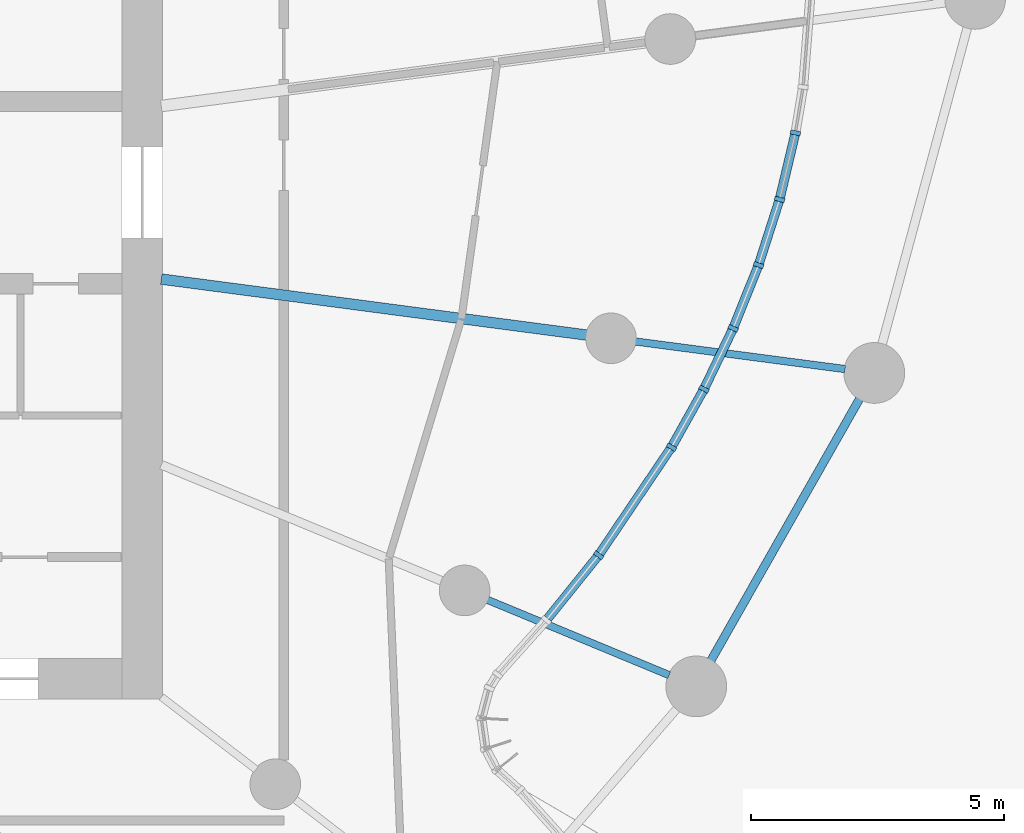
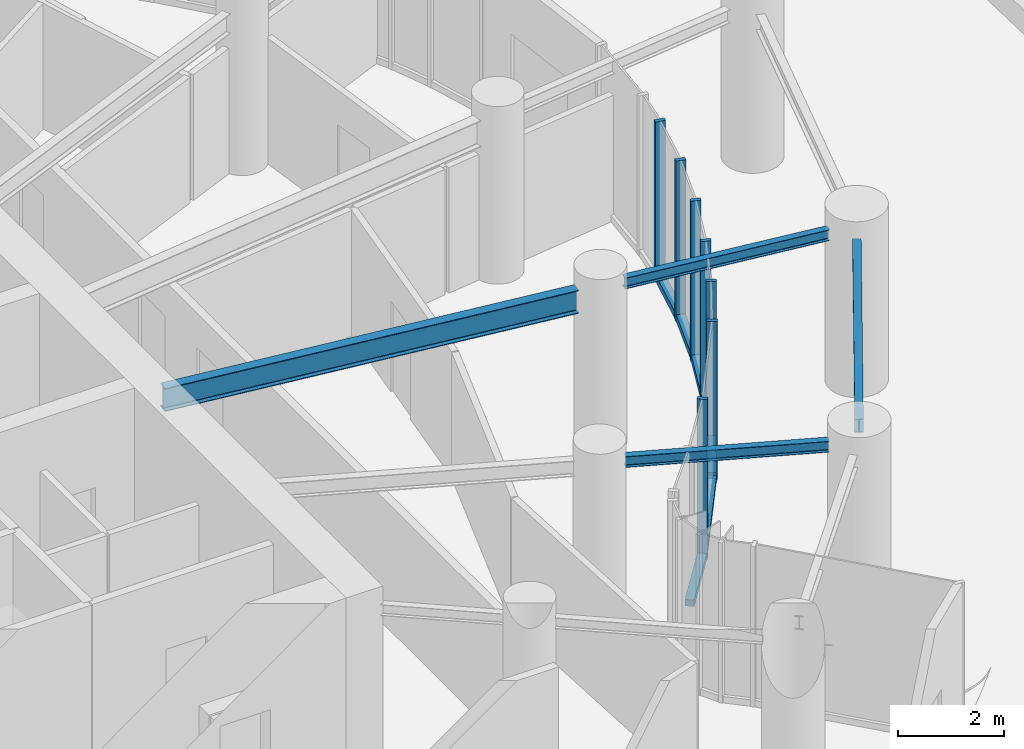
# One storey, part 4 of 24: 14 members, 4 beams, 2 elements without a shape of their own.
"""IFC4 building model written with IfcOpenShell, lengths in metres."""

from ifc_helpers import new_model, si_unit, direction, frame, origin, origin_2d, place, context, subcontext, project, spatial, rectangle, i_section, extrude, source, transform, mapped, material, layer, layer_set, material_profile, profile_set, type_object, element, aggregate, save


model = new_model("IFC4")

# Units and contexts
model_context = context("Model", 3, precision=1e-05, world=origin(), true_north=direction((0.0, 1.0)))
body_context = subcontext(model_context, "Body", "Model", "MODEL_VIEW")
ifc_project = project(units=[si_unit("LENGTHUNIT", "METRE"), si_unit("AREAUNIT", "SQUARE_METRE"), si_unit("VOLUMEUNIT", "CUBIC_METRE"), si_unit("PLANEANGLEUNIT", "RADIAN"), si_unit("MASSUNIT", "GRAM", prefix="KILO")], contexts=[model_context])

# Site, building, storey
site_placement = place(None, origin())
site = spatial("IfcSite", under=ifc_project, at=site_placement, CompositionType="ELEMENT")
building_placement = place(site_placement, origin())
building = spatial("IfcBuilding", under=site, at=building_placement, Name="Spindrift Exchange Tower", CompositionType="ELEMENT")
storey_placement = place(building_placement, frame((0.0, 0.0, 79.800048828125)))
storey = spatial("IfcBuildingStorey", under=building, at=storey_placement, Name="L18", CompositionType="ELEMENT", Elevation=79.800048828125)

# Beams
ifc_material_1 = material(Name="Steel Grade 300", Category="steel")
ifc_material_profile_1 = material_profile(ifc_material_1, i_section(OverallWidth=0.208984375, OverallDepth=0.532958984375, WebThickness=0.01025390625, FlangeThickness=0.015625, FilletRadius=0.013916015625, at=origin_2d()), Name="530UB92.4")
ifc_profile_set_1 = profile_set([ifc_material_profile_1], Name="Steel Grade 300")
beam_type_1 = type_object("IfcBeamType", Name="Floor Beam 530UB92.4 Steel Grade 300", PredefinedType="BEAM", material=ifc_profile_set_1)
shared_shape_1 = source(origin(), body_context, "Body", "SweptSolid", [
    extrude(i_section(OverallWidth=0.208984375, OverallDepth=0.532958984375, WebThickness=0.01025390625, FlangeThickness=0.015625, FilletRadius=0.013916015625, at=origin_2d()), origin(), (0.0, 0.0, 1.0), 8.4794921875),
])
beam_1_placement = place(storey_placement, frame((64.980224609375, 46.291015625, 3.433349609375), z_axis=(0.991446551951, -0.13051335037, 0.0), x_axis=(0.13051335037, 0.991446551951, 0.0)))
element("IfcBeam", 1, at=beam_1_placement, inside=storey, type_object=beam_type_1, Name="L18 radial beam R24A", PredefinedType="BEAM", context=body_context, shape_type="MappedRepresentation", body=[
    mapped(shared_shape_1, transform((0.0, 0.0, 0.0), scale=1.0)),
])
ifc_material_profile_2 = material_profile(ifc_material_1, i_section(OverallWidth=0.14599609375, OverallDepth=0.251953125, WebThickness=0.006103515625, FlangeThickness=0.008544921875, FilletRadius=0.011962890625, at=origin_2d()), Name="250UB31.4")
ifc_profile_set_2 = profile_set([ifc_material_profile_2], Name="Steel Grade 300")
beam_type_2 = type_object("IfcBeamType", Name="Floor Beam 250UB31.4 Steel Grade 300", PredefinedType="BEAM", material=ifc_profile_set_2)
shared_shape_2 = source(origin(), body_context, "Body", "SweptSolid", [
    extrude(i_section(OverallWidth=0.14599609375, OverallDepth=0.251953125, WebThickness=0.006103515625, FlangeThickness=0.008544921875, FilletRadius=0.011962890625, at=origin_2d()), origin(), (0.0, 0.0, 1.0), 3.892333984375),
])
beam_2_placement = place(storey_placement, frame((71.416015625, 39.95751953125, 3.573974609375), z_axis=(0.923878458273, -0.382686025794, 0.0), x_axis=(0.382686025794, 0.923878458273, 0.0)))
element("IfcBeam", 2, at=beam_2_placement, inside=storey, type_object=beam_type_2, Name="L18 radial beam R23B", PredefinedType="BEAM", context=body_context, shape_type="MappedRepresentation", body=[
    mapped(shared_shape_2, transform((0.0, 0.0, 0.0), scale=1.0)),
])
shared_shape_3 = source(origin(), body_context, "Body", "SweptSolid", [
    extrude(i_section(OverallWidth=0.14599609375, OverallDepth=0.251953125, WebThickness=0.006103515625, FlangeThickness=0.008544921875, FilletRadius=0.011962890625, at=origin_2d()), origin(), (0.0, 0.0, 1.0), 4.186279296875),
])
beam_3_placement = place(storey_placement, frame((74.339111328125, 45.05908203125, 3.573974609375), z_axis=(0.991445559167, -0.130520891848, 0.0), x_axis=(0.130520891848, 0.991445559167, 0.0)))
element("IfcBeam", 3, at=beam_3_placement, inside=storey, type_object=beam_type_2, Name="L18 radial beam R24B", PredefinedType="BEAM", context=body_context, shape_type="MappedRepresentation", body=[
    mapped(shared_shape_3, transform((0.0, 0.0, 0.0), scale=1.0)),
])
ifc_material_profile_3 = material_profile(ifc_material_1, i_section(OverallWidth=0.1650390625, OverallDepth=0.303955078125, WebThickness=0.006103515625, FlangeThickness=0.01025390625, FilletRadius=0.011474609375, at=origin_2d()), Name="310UB40.4")
ifc_profile_set_3 = profile_set([ifc_material_profile_3], Name="Steel Grade 300")
beam_type_3 = type_object("IfcBeamType", Name="Edge Beam 310UB40.4 Steel Grade 300", PredefinedType="SPANDREL", material=ifc_profile_set_3)
shared_shape_4 = source(origin(), body_context, "Body", "SweptSolid", [
    extrude(i_section(OverallWidth=0.1650390625, OverallDepth=0.303955078125, WebThickness=0.006103515625, FlangeThickness=0.01025390625, FilletRadius=0.011474609375, at=origin_2d()), origin(), (0.0, 0.0, 1.0), 5.9599609375),
])
beam_4_placement = place(storey_placement, frame((75.834228515625, 38.75048828125, 3.5478515625), z_axis=(0.493940434745, 0.869495742901, 0.0), x_axis=(-0.869495742901, 0.493940434745, 0.0)))
element("IfcBeam", 4, at=beam_4_placement, inside=storey, type_object=beam_type_3, Name="L18 edge beam E23", PredefinedType="SPANDREL", context=body_context, shape_type="MappedRepresentation", body=[
    mapped(shared_shape_4, transform((0.0, 0.0, 0.0), scale=1.0)),
])

# Curtain wall, members
ifc_material_2 = material(Name="Fritted laminated glass with bronze frame", Category="glass")
ifc_layer = layer(ifc_material_2, 0.199951171875)
ifc_layer_set = layer_set([ifc_layer], Name="SKY GARDEN BRONZE GLAZED WALL")
curtain_wall_type = type_object("IfcCurtainWallType", Name="SKY GARDEN BRONZE GLAZED WALL", PredefinedType="NOTDEFINED", material=ifc_layer_set)
curtain_wall_1_placement = place(storey_placement, origin())
curtain_wall_1 = element("IfcCurtainWall", 5, at=curtain_wall_1_placement, inside=storey, type_object=curtain_wall_type, Name="L18 Sky Garden Bronze Glazed Wall run 8", PredefinedType="NOTDEFINED")
ifc_material_3 = material(Name="Bronze anodised aluminium", Category="aluminium")
ifc_material_profile_4 = material_profile(ifc_material_3, rectangle(XDim=0.0849609375, YDim=0.199951171875, at=origin_2d()), Name="SKY GARDEN BRONZE GLAZED WALL MULLION 85X200")
ifc_profile_set_4 = profile_set([ifc_material_profile_4], Name="Bronze anodised aluminium")
member_type_1 = type_object("IfcMemberType", Name="SKY GARDEN BRONZE GLAZED WALL MULLION 85X200", PredefinedType="MULLION", material=ifc_profile_set_4)
shared_shape_5 = source(origin(), body_context, "Body", "SweptSolid", [
    extrude(rectangle(XDim=0.0849609375, YDim=0.199951171875, at=origin_2d()), origin(), (0.0, 0.0, 1.0), 3.699951171875),
])
member_1_placement = place(storey_placement, frame((73.619384765625, 40.83642578125, 0.0), z_axis=(0.0, 0.0, 1.0), x_axis=(0.593658423851, 0.804717140237, 0.0)))
member_1 = element("IfcMember", 6, at=member_1_placement, type_object=member_type_1, Name="L18 mullion CW-G.44", PredefinedType="MULLION", context=body_context, shape_type="MappedRepresentation", body=[
    mapped(shared_shape_5, transform((0.0, 0.0, 0.0), scale=1.0)),
])
member_2_placement = place(storey_placement, frame((75.05908203125, 42.970703125, 0.0), z_axis=(0.0, 0.0, 1.0), x_axis=(0.52399219863, 0.851723062841, 0.0)))
member_2 = element("IfcMember", 7, at=member_2_placement, type_object=member_type_1, Name="L18 mullion CW-G.45", PredefinedType="MULLION", context=body_context, shape_type="MappedRepresentation", body=[
    mapped(shared_shape_5, transform((0.0, 0.0, 0.0), scale=1.0)),
])
member_3_placement = place(storey_placement, frame((75.699951171875, 44.1171875, 0.0), z_axis=(0.0, 0.0, 1.0), x_axis=(0.460698842533, 0.887556520166, 0.0)))
member_3 = element("IfcMember", 8, at=member_3_placement, type_object=member_type_1, Name="L18 mullion CW-G.46", PredefinedType="MULLION", context=body_context, shape_type="MappedRepresentation", body=[
    mapped(shared_shape_5, transform((0.0, 0.0, 0.0), scale=1.0)),
])
member_4_placement = place(storey_placement, frame((76.27685546875, 45.317626953125, 0.0), z_axis=(0.0, 0.0, 1.0), x_axis=(0.402945156293, 0.915224126113, 0.0)))
member_4 = element("IfcMember", 9, at=member_4_placement, type_object=member_type_1, Name="L18 mullion CW-G.47", PredefinedType="MULLION", context=body_context, shape_type="MappedRepresentation", body=[
    mapped(shared_shape_5, transform((0.0, 0.0, 0.0), scale=1.0)),
])

curtain_wall_2_placement = place(storey_placement, origin())
curtain_wall_2 = element("IfcCurtainWall", 10, at=curtain_wall_2_placement, inside=storey, type_object=curtain_wall_type, Name="L18 Sky Garden Bronze Glazed Wall run 9", PredefinedType="NOTDEFINED")
member_5_placement = place(storey_placement, frame((76.778564453125, 46.568603515625, 0.0), z_axis=(0.0, 0.0, 1.0), x_axis=(0.338919910303, 0.940815228618, 0.0)))
member_5 = element("IfcMember", 11, at=member_5_placement, type_object=member_type_1, Name="L18 mullion CW-G.48", PredefinedType="MULLION", context=body_context, shape_type="MappedRepresentation", body=[
    mapped(shared_shape_5, transform((0.0, 0.0, 0.0), scale=1.0)),
])
member_6_placement = place(storey_placement, frame((77.19384765625, 47.864501953125, 0.0), z_axis=(0.0, 0.0, 1.0), x_axis=(0.268527057757, 0.963272141844, 0.0)))
member_6 = element("IfcMember", 12, at=member_6_placement, type_object=member_type_1, Name="L18 mullion CW-G.49", PredefinedType="MULLION", context=body_context, shape_type="MappedRepresentation", body=[
    mapped(shared_shape_5, transform((0.0, 0.0, 0.0), scale=1.0)),
])
member_7_placement = place(storey_placement, frame((77.506591796875, 49.178955078125, 0.0), z_axis=(0.0, 0.0, 1.0), x_axis=(0.198617448477, 0.980077093478, 0.0)))
member_7 = element("IfcMember", 13, at=member_7_placement, type_object=member_type_1, Name="L18 mullion CW-G.50", PredefinedType="MULLION", context=body_context, shape_type="MappedRepresentation", body=[
    mapped(shared_shape_5, transform((0.0, 0.0, 0.0), scale=1.0)),
])

# Member
ifc_material_profile_5 = material_profile(ifc_material_3, rectangle(XDim=0.179931640625, YDim=0.14990234375, at=origin_2d()), Name="SKY GARDEN BRONZE GLAZED WALL TRANSOM 180X150")
ifc_profile_set_5 = profile_set([ifc_material_profile_5], Name="Bronze anodised aluminium")
member_type_2 = type_object("IfcMemberType", Name="SKY GARDEN BRONZE GLAZED WALL TRANSOM 180X150", PredefinedType="USERDEFINED", material=ifc_profile_set_5)
shared_shape_6 = source(origin(), body_context, "Body", "SweptSolid", [
    extrude(rectangle(XDim=0.179931640625, YDim=0.14990234375, at=origin_2d()), origin(), (0.0, 0.0, 1.0), 1.560791015625),
])
member_8_placement = place(storey_placement, frame((72.6142578125, 39.58740234375, 0.074951171875), z_axis=(0.626981619683, 0.779034048408, 0.0), x_axis=(-0.779034048408, 0.626981619683, 0.0)))
member_8 = element("IfcMember", 14, at=member_8_placement, type_object=member_type_2, Name="L18 transom CW-G.43", ObjectType="TRANSOM", PredefinedType="USERDEFINED", context=body_context, shape_type="MappedRepresentation", body=[
    mapped(shared_shape_6, transform((0.0, 0.0, 0.0), scale=1.0)),
])

shared_shape_7 = source(origin(), body_context, "Body", "SweptSolid", [
    extrude(rectangle(XDim=0.179931640625, YDim=0.14990234375, at=origin_2d()), origin(), (0.0, 0.0, 1.0), 2.4892578125),
])
member_9_placement = place(storey_placement, frame((73.643310546875, 40.87158203125, 0.074951171875), z_axis=(0.559218484508, 0.829020317353, 0.0), x_axis=(-0.829020317353, 0.559218484508, 0.0)))
member_9 = element("IfcMember", 15, at=member_9_placement, type_object=member_type_2, Name="L18 transom CW-G.44", ObjectType="TRANSOM", PredefinedType="USERDEFINED", context=body_context, shape_type="MappedRepresentation", body=[
    mapped(shared_shape_7, transform((0.0, 0.0, 0.0), scale=1.0)),
])

shared_shape_8 = source(origin(), body_context, "Body", "SweptSolid", [
    extrude(rectangle(XDim=0.179931640625, YDim=0.14990234375, at=origin_2d()), origin(), (0.0, 0.0, 1.0), 1.228515625),
])
member_10_placement = place(storey_placement, frame((75.079833984375, 43.0078125, 0.074951171875), z_axis=(0.487919351542, 0.872888713635, 0.0), x_axis=(-0.872888713635, 0.487919351542, 0.0)))
member_10 = element("IfcMember", 16, at=member_10_placement, type_object=member_type_2, Name="L18 transom CW-G.45", ObjectType="TRANSOM", PredefinedType="USERDEFINED", context=body_context, shape_type="MappedRepresentation", body=[
    mapped(shared_shape_8, transform((0.0, 0.0, 0.0), scale=1.0)),
])

shared_shape_9 = source(origin(), body_context, "Body", "SweptSolid", [
    extrude(rectangle(XDim=0.179931640625, YDim=0.14990234375, at=origin_2d()), origin(), (0.0, 0.0, 1.0), 1.246826171875),
])
member_11_placement = place(storey_placement, frame((75.71826171875, 44.155517578125, 0.074951171875), z_axis=(0.433138436737, 0.901327407007, 0.0), x_axis=(-0.901327407007, 0.433138436737, 0.0)))
member_11 = element("IfcMember", 17, at=member_11_placement, type_object=member_type_2, Name="L18 transom CW-G.46", ObjectType="TRANSOM", PredefinedType="USERDEFINED", context=body_context, shape_type="MappedRepresentation", body=[
    mapped(shared_shape_9, transform((0.0, 0.0, 0.0), scale=1.0)),
])

shared_shape_10 = source(origin(), body_context, "Body", "SweptSolid", [
    extrude(rectangle(XDim=0.179931640625, YDim=0.14990234375, at=origin_2d()), origin(), (0.0, 0.0, 1.0), 1.262939453125),
])
member_12_placement = place(storey_placement, frame((76.292724609375, 45.35693359375, 0.074951171875), z_axis=(0.372157196908, 0.92816971551, 0.0), x_axis=(-0.92816971551, 0.372157196908, 0.0)))
member_12 = element("IfcMember", 18, at=member_12_placement, type_object=member_type_2, Name="L18 transom CW-G.47", ObjectType="TRANSOM", PredefinedType="USERDEFINED", context=body_context, shape_type="MappedRepresentation", body=[
    mapped(shared_shape_10, transform((0.0, 0.0, 0.0), scale=1.0)),
])

aggregate(curtain_wall_1, [member_8, member_1, member_9, member_2, member_10, member_3, member_11, member_4, member_12])

shared_shape_11 = source(origin(), body_context, "Body", "SweptSolid", [
    extrude(rectangle(XDim=0.179931640625, YDim=0.14990234375, at=origin_2d()), origin(), (0.0, 0.0, 1.0), 1.27587890625),
])
member_13_placement = place(storey_placement, frame((76.79150390625, 46.60888671875, 0.074951171875), z_axis=(0.305185313813, 0.95229298235, 0.0), x_axis=(-0.95229298235, 0.305185313813, 0.0)))
member_13 = element("IfcMember", 19, at=member_13_placement, type_object=member_type_2, Name="L18 transom CW-G.48", ObjectType="TRANSOM", PredefinedType="USERDEFINED", context=body_context, shape_type="MappedRepresentation", body=[
    mapped(shared_shape_11, transform((0.0, 0.0, 0.0), scale=1.0)),
])

shared_shape_12 = source(origin(), body_context, "Body", "SweptSolid", [
    extrude(rectangle(XDim=0.179931640625, YDim=0.14990234375, at=origin_2d()), origin(), (0.0, 0.0, 1.0), 1.266357421875),
])
member_14_placement = place(storey_placement, frame((77.20361328125, 47.90576171875, 0.074951171875), z_axis=(0.231542334384, 0.972824828727, 0.0), x_axis=(-0.972824828727, 0.231542334384, 0.0)))
member_14 = element("IfcMember", 20, at=member_14_placement, type_object=member_type_2, Name="L18 transom CW-G.49", ObjectType="TRANSOM", PredefinedType="USERDEFINED", context=body_context, shape_type="MappedRepresentation", body=[
    mapped(shared_shape_12, transform((0.0, 0.0, 0.0), scale=1.0)),
])

aggregate(curtain_wall_2, [member_5, member_13, member_6, member_14, member_7])

save(model, "model.ifc")
